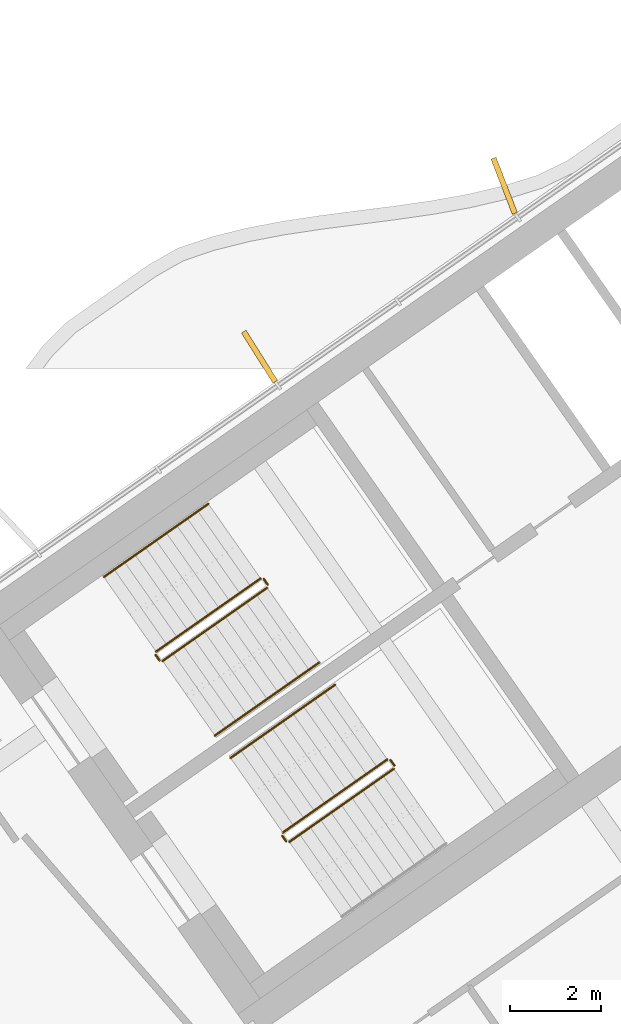
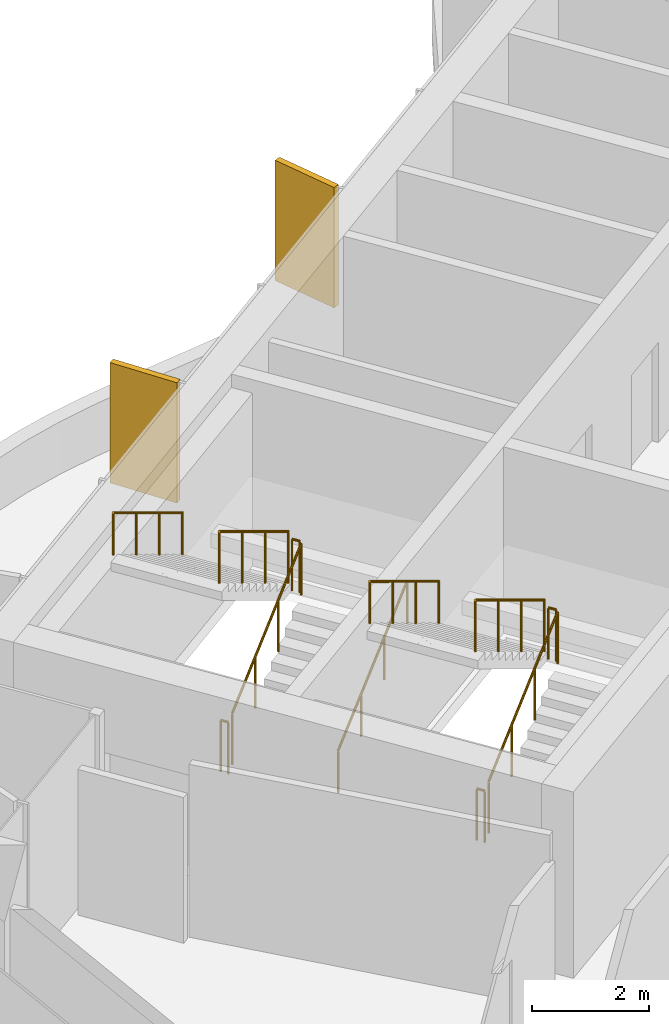
# One storey, part 17 of 20: 11 railings, 2 shading devices.
"""IFC4 building model written with IfcOpenShell, lengths in metres."""

from ifc_helpers import new_model, si_unit, direction, frame, origin, origin_2d, place, context, subcontext, project, spatial, rectangle, circle, extrude, material, layer, layer_set, type_object, element, save


model = new_model("IFC4")

# Units and contexts
model_context = context("Model", 3, precision=1e-05, world=origin(), true_north=direction((0.0, 1.0)))
body_context = subcontext(model_context, "Body", "Model", "MODEL_VIEW")
ifc_project = project(units=[si_unit("LENGTHUNIT", "METRE"), si_unit("AREAUNIT", "SQUARE_METRE"), si_unit("VOLUMEUNIT", "CUBIC_METRE"), si_unit("PLANEANGLEUNIT", "RADIAN"), si_unit("MASSUNIT", "GRAM", prefix="KILO")], contexts=[model_context])

# Site, building, storey
site_placement = place(None, origin())
site = spatial("IfcSite", under=ifc_project, at=site_placement, CompositionType="ELEMENT")
building_placement = place(site_placement, origin())
building = spatial("IfcBuilding", under=site, at=building_placement, Name="Tel Ilan Convention Tower", CompositionType="ELEMENT")
storey_placement = place(building_placement, frame((0.0, 0.0, 244.89990234375)))
storey = spatial("IfcBuildingStorey", under=building, at=storey_placement, Name="L57", CompositionType="ELEMENT", Elevation=244.89990234375)

# Shading devices
ifc_material_1 = material(Name="Aluminium, bronze anodised", Category="aluminium")
ifc_layer = layer(ifc_material_1, 0.1201171875)
ifc_layer_set = layer_set([ifc_layer], Name="FIN BRONZE 1300x120")
shading_device_type = type_object("IfcShadingDeviceType", Name="FIN BRONZE 1300x120", PredefinedType="USERDEFINED", material=ifc_layer_set)
for number, where, z_axis, x_axis, name in (
    (1, (-16.037841796875, 2.375732421875, 1.10009765625), (0.0, 0.0, 1.0), (-0.360177724803, 0.932883704733, 0.0), "FIN"),
    (2, (-21.408935546875, -1.376953125, 1.10009765625), (0.0, 0.0, 1.0), (-0.533204432798, 0.845986425922, 0.0), "FIN"),
):
    element("IfcShadingDevice", number, at=place(storey_placement, frame(where, z_axis=z_axis, x_axis=x_axis)), inside=storey, type_object=shading_device_type, Name=name, ObjectType="FIN", PredefinedType="USERDEFINED", context=body_context, shape_type="SweptSolid", body=[
        extrude(rectangle(XDim=1.300048828125, YDim=0.1201171875, at=origin_2d()), origin(), (0.0, 0.0, 1.0), 2.52001953125),
    ])

# Railings
ifc_material_2 = material(Name="Stainless Steel Grade 316", Category="steel")
railing_type_1 = type_object("IfcRailingType", Name="Stainless Steel Stair Guard 1100 mm", PredefinedType="GUARDRAIL", material=ifc_material_2)
railing_1_placement = place(storey_placement, frame((-23.535400390625, -8.056396484375, 0.177490234375)))
element("IfcRailing", 3, at=railing_1_placement, inside=storey, type_object=railing_type_1, Name="L57 S1 stair guard 1", PredefinedType="GUARDRAIL", context=body_context, shape_type="SweptSolid", body=[
    extrude(circle(Radius=0.02392578125, at=origin_2d()), frame((0.0, 0.0, 1.076171875), z_axis=(0.692098378994, 0.484653031975, 0.534893701956), x_axis=(-0.573608623498, 0.819129505664, 0.0)), (0.0, 0.0, 1.0), 3.314208984375),
    extrude(circle(Radius=0.02099609375, at=origin_2d()), origin(), (0.0, 0.0, 1.0), 1.052001953125),
    extrude(circle(Radius=0.02099609375, at=origin_2d()), frame((0.7646484375, 0.535400390625, 0.5908203125)), (0.0, 0.0, 1.0), 1.052001953125),
    extrude(circle(Radius=0.02099609375, at=origin_2d()), frame((1.529052734375, 1.07080078125, 1.181884765625)), (0.0, 0.0, 1.0), 1.052001953125),
    extrude(circle(Radius=0.02099609375, at=origin_2d()), frame((2.293701171875, 1.606201171875, 1.772705078125)), (0.0, 0.0, 1.0), 1.052001953125),
])
railing_2_placement = place(storey_placement, frame((-21.2294921875, -6.380615234375, 1.9501953125)))
element("IfcRailing", 4, at=railing_2_placement, inside=storey, type_object=railing_type_1, Name="L57 S1 stair guard 2", PredefinedType="GUARDRAIL", context=body_context, shape_type="SweptSolid", body=[
    extrude(circle(Radius=0.02392578125, at=origin_2d()), frame((0.0, 0.0, 1.076171875), z_axis=(-0.573353020881, 0.819308436089, 0.0), x_axis=(-0.819308436089, -0.573353020881, 0.0)), (0.0, 0.0, 1.0), 0.14990234375),
    extrude(circle(Radius=0.02099609375, at=origin_2d()), origin(), (0.0, 0.0, 1.0), 1.052001953125),
    extrude(circle(Radius=0.02099609375, at=origin_2d()), frame((-0.0859375, 0.122802734375, 0.0)), (0.0, 0.0, 1.0), 1.052001953125),
])
railing_3_placement = place(storey_placement, frame((-21.38525390625, -6.24560546875, 2.12744140625)))
element("IfcRailing", 5, at=railing_3_placement, inside=storey, type_object=railing_type_1, Name="L57 S1 stair guard 3", PredefinedType="GUARDRAIL", context=body_context, shape_type="SweptSolid", body=[
    extrude(circle(Radius=0.02392578125, at=origin_2d()), frame((0.0, 0.0, 1.076171875), z_axis=(-0.692084706163, -0.484621375041, 0.534940073605), x_axis=(0.573591086599, -0.819141785879, 0.0)), (0.0, 0.0, 1.0), 3.313720703125),
    extrude(circle(Radius=0.02099609375, at=origin_2d()), origin(), (0.0, 0.0, 1.0), 1.052001953125),
    extrude(circle(Radius=0.02099609375, at=origin_2d()), frame((-0.764404296875, -0.535400390625, 0.5908203125)), (0.0, 0.0, 1.0), 1.052001953125),
    extrude(circle(Radius=0.02099609375, at=origin_2d()), frame((-1.529052734375, -1.070556640625, 1.181884765625)), (0.0, 0.0, 1.0), 1.052001953125),
    extrude(circle(Radius=0.02099609375, at=origin_2d()), frame((-2.29345703125, -1.60595703125, 1.772705078125)), (0.0, 0.0, 1.0), 1.052001953125),
])
railing_4_placement = place(storey_placement, frame((-23.60498046875, -8.0439453125, 0.0)))
element("IfcRailing", 6, at=railing_4_placement, inside=storey, type_object=railing_type_1, Name="L57 S1 stair guard 4", PredefinedType="GUARDRAIL", context=body_context, shape_type="SweptSolid", body=[
    extrude(circle(Radius=0.02392578125, at=origin_2d()), frame((0.0, 0.0, 1.076171875), z_axis=(-0.574444878118, 0.818543268254, 0.0), x_axis=(-0.818543268254, -0.574444878118, 0.0)), (0.0, 0.0, 1.0), 0.150146484375),
    extrude(circle(Radius=0.02099609375, at=origin_2d()), origin(), (0.0, 0.0, 1.0), 1.052001953125),
    extrude(circle(Radius=0.02099609375, at=origin_2d()), frame((-0.086181640625, 0.122802734375, 0.0)), (0.0, 0.0, 1.0), 1.052001953125),
])
railing_5_placement = place(storey_placement, frame((-20.753662109375, -12.029296875, 0.177490234375)))
element("IfcRailing", 7, at=railing_5_placement, inside=storey, type_object=railing_type_1, Name="L57 S2 stair guard 1", PredefinedType="GUARDRAIL", context=body_context, shape_type="SweptSolid", body=[
    extrude(circle(Radius=0.02392578125, at=origin_2d()), frame((0.0, 0.0, 1.076171875), z_axis=(0.692098378994, 0.484653031975, 0.534893701956), x_axis=(-0.573608623498, 0.819129505664, 0.0)), (0.0, 0.0, 1.0), 3.314208984375),
    extrude(circle(Radius=0.02099609375, at=origin_2d()), origin(), (0.0, 0.0, 1.0), 1.052001953125),
    extrude(circle(Radius=0.02099609375, at=origin_2d()), frame((0.7646484375, 0.535400390625, 0.5908203125)), (0.0, 0.0, 1.0), 1.052001953125),
    extrude(circle(Radius=0.02099609375, at=origin_2d()), frame((1.529052734375, 1.07080078125, 1.181884765625)), (0.0, 0.0, 1.0), 1.052001953125),
    extrude(circle(Radius=0.02099609375, at=origin_2d()), frame((2.293701171875, 1.606201171875, 1.772705078125)), (0.0, 0.0, 1.0), 1.052001953125),
])
railing_6_placement = place(storey_placement, frame((-18.44775390625, -10.353515625, 1.9501953125)))
element("IfcRailing", 8, at=railing_6_placement, inside=storey, type_object=railing_type_1, Name="L57 S2 stair guard 2", PredefinedType="GUARDRAIL", context=body_context, shape_type="SweptSolid", body=[
    extrude(circle(Radius=0.02392578125, at=origin_2d()), frame((0.0, 0.0, 1.076171875), z_axis=(-0.573353020881, 0.819308436089, 0.0), x_axis=(-0.819308436089, -0.573353020881, 0.0)), (0.0, 0.0, 1.0), 0.14990234375),
    extrude(circle(Radius=0.02099609375, at=origin_2d()), origin(), (0.0, 0.0, 1.0), 1.052001953125),
    extrude(circle(Radius=0.02099609375, at=origin_2d()), frame((-0.0859375, 0.122802734375, 0.0)), (0.0, 0.0, 1.0), 1.052001953125),
])
railing_7_placement = place(storey_placement, frame((-18.603271484375, -10.218505859375, 2.12744140625)))
element("IfcRailing", 9, at=railing_7_placement, inside=storey, type_object=railing_type_1, Name="L57 S2 stair guard 3", PredefinedType="GUARDRAIL", context=body_context, shape_type="SweptSolid", body=[
    extrude(circle(Radius=0.02392578125, at=origin_2d()), frame((0.0, 0.0, 1.076171875), z_axis=(-0.692123088272, -0.484596665743, 0.534912798717), x_axis=(0.573550118428, -0.819170471667, 0.0)), (0.0, 0.0, 1.0), 3.31396484375),
    extrude(circle(Radius=0.02099609375, at=origin_2d()), origin(), (0.0, 0.0, 1.0), 1.052001953125),
    extrude(circle(Radius=0.02099609375, at=origin_2d()), frame((-0.7646484375, -0.535400390625, 0.5908203125)), (0.0, 0.0, 1.0), 1.052001953125),
    extrude(circle(Radius=0.02099609375, at=origin_2d()), frame((-1.529052734375, -1.070556640625, 1.181884765625)), (0.0, 0.0, 1.0), 1.052001953125),
    extrude(circle(Radius=0.02099609375, at=origin_2d()), frame((-2.293701171875, -1.60595703125, 1.772705078125)), (0.0, 0.0, 1.0), 1.052001953125),
])
railing_8_placement = place(storey_placement, frame((-20.8232421875, -12.016845703125, 0.0)))
element("IfcRailing", 10, at=railing_8_placement, inside=storey, type_object=railing_type_1, Name="L57 S2 stair guard 4", PredefinedType="GUARDRAIL", context=body_context, shape_type="SweptSolid", body=[
    extrude(circle(Radius=0.02392578125, at=origin_2d()), frame((0.0, 0.0, 1.076171875), z_axis=(-0.573353020881, 0.819308436089, 0.0), x_axis=(-0.819308436089, -0.573353020881, 0.0)), (0.0, 0.0, 1.0), 0.14990234375),
    extrude(circle(Radius=0.02099609375, at=origin_2d()), origin(), (0.0, 0.0, 1.0), 1.052001953125),
    extrude(circle(Radius=0.02099609375, at=origin_2d()), frame((-0.0859375, 0.122802734375, 0.0)), (0.0, 0.0, 1.0), 1.052001953125),
])
ifc_material_3 = material(Name="Stainless Steel Grade 316", Category="steel")
railing_type_2 = type_object("IfcRailingType", Name="Stainless Steel Stair Handrail 900 mm", PredefinedType="HANDRAIL", material=ifc_material_3)
railing_9_placement = place(storey_placement, frame((-22.38818359375, -9.694580078125, 0.177490234375)))
element("IfcRailing", 11, at=railing_9_placement, inside=storey, type_object=railing_type_2, Name="L57 S1 stair handrail 1", PredefinedType="HANDRAIL", context=body_context, shape_type="SweptSolid", body=[
    extrude(circle(Radius=0.02392578125, at=origin_2d()), frame((0.0, 0.0, 0.8759765625), z_axis=(0.692084706163, 0.484621375041, 0.534940073605), x_axis=(-0.573591086599, 0.819141785879, 0.0)), (0.0, 0.0, 1.0), 3.313720703125),
    extrude(circle(Radius=0.02099609375, at=origin_2d()), origin(), (0.0, 0.0, 1.0), 0.851806640625),
    extrude(circle(Radius=0.02099609375, at=origin_2d()), frame((0.764404296875, 0.535400390625, 0.5908203125)), (0.0, 0.0, 1.0), 0.851806640625),
    extrude(circle(Radius=0.02099609375, at=origin_2d()), frame((1.529052734375, 1.070556640625, 1.181884765625)), (0.0, 0.0, 1.0), 0.851806640625),
    extrude(circle(Radius=0.02099609375, at=origin_2d()), frame((2.29345703125, 1.60595703125, 1.772705078125)), (0.0, 0.0, 1.0), 0.851806640625),
])
for number, where, name in (
    (12, (-22.5322265625, -4.607177734375, 2.12744140625), "L57 S1 stair handrail 2"),
    (13, (-19.75048828125, -8.580078125, 2.12744140625), "L57 S2 stair handrail 2"),
):
    element("IfcRailing", number, at=place(storey_placement, frame(where)), inside=storey, type_object=railing_type_2, Name=name, PredefinedType="HANDRAIL", context=body_context, shape_type="SweptSolid", body=[
        extrude(circle(Radius=0.02392578125, at=origin_2d()), frame((0.0, 0.0, 0.8759765625), z_axis=(-0.692123088272, -0.484596665743, 0.534912798717), x_axis=(0.573550118428, -0.819170471667, 0.0)), (0.0, 0.0, 1.0), 3.31396484375),
        extrude(circle(Radius=0.02099609375, at=origin_2d()), origin(), (0.0, 0.0, 1.0), 0.851806640625),
        extrude(circle(Radius=0.02099609375, at=origin_2d()), frame((-0.7646484375, -0.535400390625, 0.5908203125)), (0.0, 0.0, 1.0), 0.851806640625),
        extrude(circle(Radius=0.02099609375, at=origin_2d()), frame((-1.529052734375, -1.070556640625, 1.181884765625)), (0.0, 0.0, 1.0), 0.851806640625),
        extrude(circle(Radius=0.02099609375, at=origin_2d()), frame((-2.293701171875, -1.60595703125, 1.772705078125)), (0.0, 0.0, 1.0), 0.851806640625),
    ])

save(model, "model.ifc")
